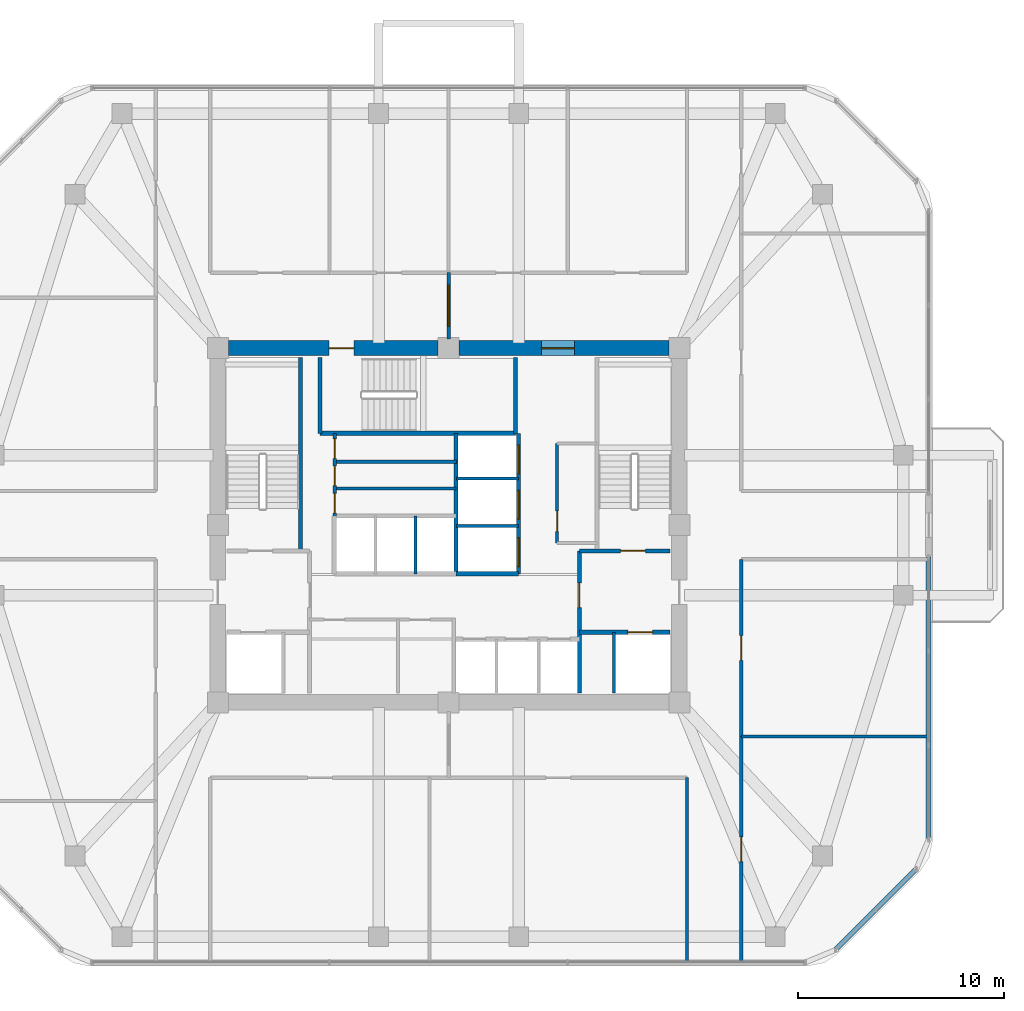
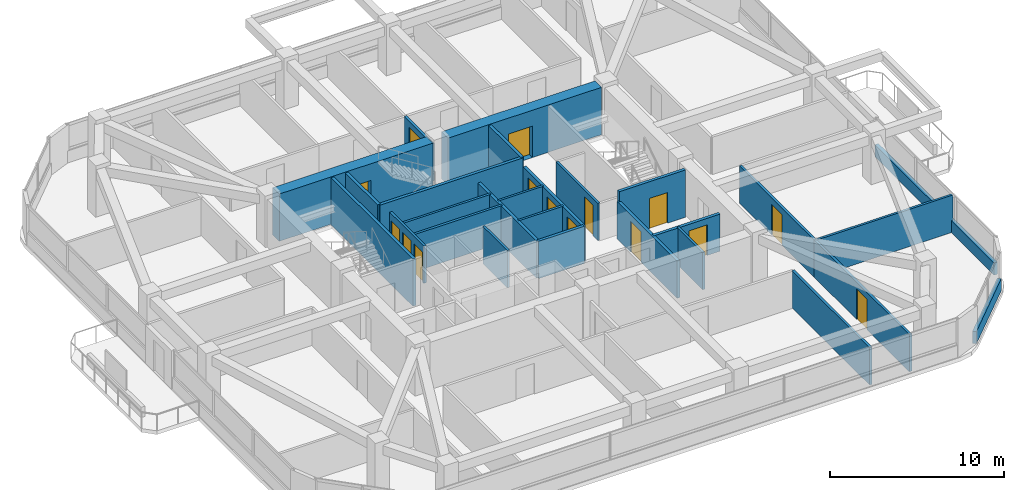
# One storey, part 9 of 12: 27 walls, 15 doors, 15 openings.
"""IFC4 building model written with IfcOpenShell, lengths in metres."""

from ifc_helpers import new_model, si_unit, derived_unit, direction, frame, frame_2d, origin, place, context, subcontext, project, spatial, rectangle, extrude, material, layer, layer_set, type_object, element, fill, save


model = new_model("IFC4")

# Units and contexts
model_context = context("Model", 3, precision=1e-05, world=origin(), true_north=direction((0.0, 1.0)))
body_context = subcontext(model_context, "Body", "Model", "MODEL_VIEW")
ifc_project = project(units=[si_unit("LENGTHUNIT", "METRE"), si_unit("AREAUNIT", "SQUARE_METRE"), si_unit("VOLUMEUNIT", "CUBIC_METRE"), si_unit("PLANEANGLEUNIT", "RADIAN"), si_unit("MASSUNIT", "GRAM", prefix="KILO"), derived_unit("THERMALTRANSMITTANCEUNIT", [(si_unit("POWERUNIT", "WATT"), 1), (si_unit("LENGTHUNIT", "METRE"), -2), (si_unit("THERMODYNAMICTEMPERATUREUNIT", "KELVIN"), -1)])], contexts=[model_context])

# Site, building, storey
site_placement = place(None, origin())
site = spatial("IfcSite", under=ifc_project, at=site_placement, CompositionType="ELEMENT")
building_placement = place(site_placement, origin())
building = spatial("IfcBuilding", under=site, at=building_placement, Name="Koralith Skygarden Medical Center", CompositionType="ELEMENT")
storey_placement = place(building_placement, frame((0.0, 0.0, 170.820068359375)))
storey = spatial("IfcBuildingStorey", under=building, at=storey_placement, Name="L44", CompositionType="ELEMENT", Elevation=170.820068359375)

# Wall, opening, door
ifc_material_1 = material(Name="Gypsum Board Partition")
ifc_layer_1 = layer(ifc_material_1, 0.14990234375)
ifc_layer_set_1 = layer_set([ifc_layer_1], Name="Gypsum Board Partition")
wall_type_1 = type_object("IfcWallType", Name="Clinical Acoustic Partition 150", PredefinedType="PARTITIONING", material=ifc_layer_set_1)
wall_1_placement = place(storey_placement, frame((42.27001953125, 25.0400390625, 0.0), z_axis=(0.0, 0.0, 1.0), x_axis=(0.0, 1.0, 0.0)))
wall_1 = element("IfcWall", 1, at=wall_1_placement, inside=storey, type_object=wall_type_1, Name="L44 Clinical Acoustic Partition 150 W-CORE-L44-ESUB-W", PredefinedType="PARTITIONING", context=body_context, shape_type="SweptSolid", body=[
    extrude(rectangle(XDim=4.820068359375, YDim=0.14990234375, at=frame_2d((2.41015625, 0.0))), origin(), (0.0, 0.0, 1.0), 2.60986328125),
])
opening_1_placement = place(wall_1_placement, frame((0.550048828125, 0.0, 0.0)))
opening_1 = element("IfcOpeningElement", 2, at=opening_1_placement, cuts=wall_1, Name="Opening D-SUP", PredefinedType="OPENING", context=body_context, shape_type="SweptSolid", body=[
    extrude(rectangle(XDim=1.0, YDim=2.14990234375, at=frame_2d((0.5, 1.074951171875))), frame((0.0, 0.0849609375, 0.0), z_axis=(0.0, -1.0, 0.0), x_axis=(1.0, 0.0, 0.0)), (0.0, 0.0, 1.0), 0.169921875),
])
ifc_material_2 = material(Name="Aluminium 6063-T6", Category="aluminium")
door_type_1 = type_object("IfcDoorType", Name="Clinical Support Door D-SUP 1000", OperationType="NOTDEFINED", PredefinedType="DOOR", material=ifc_material_2)
door_1_placement = place(opening_1_placement, origin())
door_1 = element("IfcDoor", 3, at=door_1_placement, inside=storey, type_object=door_type_1, Name="L44 Core Equipment Store Door", OperationType="SINGLE_SWING_LEFT", OverallHeight=2.14990234375, OverallWidth=1.0, PredefinedType="DOOR", context=body_context, shape_type="SweptSolid", body=[
    extrude(rectangle(XDim=1.0, YDim=2.14990234375, at=frame_2d((0.5, 1.074951171875))), frame((0.0, 0.02490234375, 0.0), z_axis=(0.0, -1.0, 0.0), x_axis=(1.0, 0.0, 0.0)), (0.0, 0.0, 1.0), 0.050048828125),
])
fill(opening_1, door_1)

# Walls
wall_2_placement = place(storey_placement, frame((31.47998046875, 28.97998046875, 0.0), z_axis=(0.0, 0.0, 1.0), x_axis=(1.0, 0.0, 0.0)))
element("IfcWall", 4, at=wall_2_placement, inside=storey, type_object=wall_type_1, Name="L44 Clinical Acoustic Partition 150 W-CORE-L44-FLEX-H1B", PredefinedType="PARTITIONING", context=body_context, shape_type="SweptSolid", body=[
    extrude(rectangle(XDim=5.89013671875, YDim=0.14990234375, at=frame_2d((2.945068359375, 0.0))), origin(), (0.0, 0.0, 1.0), 2.60986328125),
])
wall_3_placement = place(storey_placement, frame((51.2099609375, 15.64208984375, 0.0), z_axis=(0.0, 0.0, 1.0), x_axis=(1.0, 0.0, 0.0)))
element("IfcWall", 5, at=wall_3_placement, inside=storey, type_object=wall_type_1, Name="L44 Clinical Acoustic Partition 150 W-PART-L44-ES-01", PredefinedType="PARTITIONING", context=body_context, shape_type="SweptSolid", body=[
    extrude(rectangle(XDim=9.073974609375, YDim=0.14990234375, at=frame_2d((4.537109375, 0.0))), origin(), (0.0, 0.0, 1.0), 2.60986328125),
])
ifc_layer_2 = layer(ifc_material_1, 0.1650390625)
ifc_layer_set_2 = layer_set([ifc_layer_2], Name="Gypsum Board Partition")
wall_type_2 = type_object("IfcWallType", Name="Clinical Corridor Partition 165", PredefinedType="PARTITIONING", material=ifc_layer_set_2)
wall_4_placement = place(storey_placement, frame((48.570068359375, 4.699951171875, 0.0), z_axis=(0.0, 0.0, 1.0), x_axis=(0.0, 1.0, 0.0)))
element("IfcWall", 6, at=wall_4_placement, inside=storey, type_object=wall_type_2, Name="L44 Clinical Corridor Partition 165 W-HCOR-L44-SE", PredefinedType="PARTITIONING", context=body_context, shape_type="SweptSolid", body=[
    extrude(rectangle(XDim=8.93994140625, YDim=0.1650390625, at=frame_2d((4.469970703125, 0.0))), origin(), (0.0, 0.0, 1.0), 2.60986328125),
])

# Wall, opening, door
wall_5_placement = place(storey_placement, frame((51.2099609375, 4.699951171875, 0.0), z_axis=(0.0, 0.0, 1.0), x_axis=(0.0, 1.0, 0.0)))
wall_5 = element("IfcWall", 7, at=wall_5_placement, inside=storey, type_object=wall_type_2, Name="L44 Clinical Corridor Partition 165 W-CORR-L44-ES-01", PredefinedType="PARTITIONING", context=body_context, shape_type="SweptSolid", body=[
    extrude(rectangle(XDim=10.942138671875, YDim=0.1650390625, at=frame_2d((5.47119140625, 0.0))), origin(), (0.0, 0.0, 1.0), 2.60986328125),
])
opening_2_placement = place(wall_5_placement, frame((4.87109375, 0.0, 0.0)))
opening_2 = element("IfcOpeningElement", 8, at=opening_2_placement, cuts=wall_5, Name="Opening D-CLN", PredefinedType="OPENING", context=body_context, shape_type="SweptSolid", body=[
    extrude(rectangle(XDim=1.199951171875, YDim=2.14990234375, at=frame_2d((0.60009765625, 1.074951171875))), frame((0.0, 0.092529296875, 0.0), z_axis=(0.0, -1.0, 0.0), x_axis=(1.0, 0.0, 0.0)), (0.0, 0.0, 1.0), 0.18505859375),
])
door_type_2 = type_object("IfcDoorType", Name="Clinical Corridor Door D-CLN 1200", OperationType="NOTDEFINED", PredefinedType="DOOR", material=ifc_material_2)
door_2_placement = place(opening_2_placement, origin())
door_2 = element("IfcDoor", 9, at=door_2_placement, inside=storey, type_object=door_type_2, Name="L44 Physiatry Consult Office 11 Door", OperationType="SINGLE_SWING_RIGHT", OverallHeight=2.14990234375, OverallWidth=1.199951171875, PredefinedType="DOOR", context=body_context, shape_type="SweptSolid", body=[
    extrude(rectangle(XDim=1.199951171875, YDim=2.14990234375, at=frame_2d((0.60009765625, 1.074951171875))), frame((0.0, 0.02490234375, 0.0), z_axis=(0.0, -1.0, 0.0), x_axis=(1.0, 0.0, 0.0)), (0.0, 0.0, 1.0), 0.050048828125),
])
fill(opening_2, door_2)

wall_6_placement = place(storey_placement, frame((51.2099609375, 15.64208984375, 0.0), z_axis=(0.0, 0.0, 1.0), x_axis=(0.0, 1.0, 0.0)))
wall_6 = element("IfcWall", 10, at=wall_6_placement, inside=storey, type_object=wall_type_2, Name="L44 Clinical Corridor Partition 165 W-CORR-L44-ES-02", PredefinedType="PARTITIONING", context=body_context, shape_type="SweptSolid", body=[
    extrude(rectangle(XDim=8.597900390625, YDim=0.1650390625, at=frame_2d((4.298828125, 0.0))), origin(), (0.0, 0.0, 1.0), 2.60986328125),
])
opening_3_placement = place(wall_6_placement, frame((3.698974609375, 0.0, 0.0)))
opening_3 = element("IfcOpeningElement", 11, at=opening_3_placement, cuts=wall_6, Name="Opening D-CLN", PredefinedType="OPENING", context=body_context, shape_type="SweptSolid", body=[
    extrude(rectangle(XDim=1.199951171875, YDim=2.14990234375, at=frame_2d((0.60009765625, 1.074951171875))), frame((0.0, 0.092529296875, 0.0), z_axis=(0.0, -1.0, 0.0), x_axis=(1.0, 0.0, 0.0)), (0.0, 0.0, 1.0), 0.18505859375),
])
door_3_placement = place(opening_3_placement, origin())
door_3 = element("IfcDoor", 12, at=door_3_placement, inside=storey, type_object=door_type_2, Name="L44 Clinical Consultation Office 12 Door", OperationType="SINGLE_SWING_LEFT", OverallHeight=2.14990234375, OverallWidth=1.199951171875, PredefinedType="DOOR", context=body_context, shape_type="SweptSolid", body=[
    extrude(rectangle(XDim=1.199951171875, YDim=2.14990234375, at=frame_2d((0.60009765625, 1.074951171875))), frame((0.0, 0.02490234375, 0.0), z_axis=(0.0, -1.0, 0.0), x_axis=(1.0, 0.0, 0.0)), (0.0, 0.0, 1.0), 0.050048828125),
])
fill(opening_3, door_3)

ifc_layer_3 = layer(ifc_material_1, 0.199951171875)
ifc_layer_set_3 = layer_set([ifc_layer_3], Name="Gypsum Board Partition")
wall_type_3 = type_object("IfcWallType", Name="Fire Shaft Wall 200", PredefinedType="SOLIDWALL", material=ifc_layer_set_3)
wall_7_placement = place(storey_placement, frame((43.35009765625, 20.699951171875, 0.0), z_axis=(0.0, 0.0, 1.0), x_axis=(1.0, 0.0, 0.0)))
wall_7 = element("IfcWall", 13, at=wall_7_placement, inside=storey, type_object=wall_type_3, Name="L44 Fire Shaft Wall 200 W-CORE-L44-FF2-N", PredefinedType="SOLIDWALL", context=body_context, shape_type="SweptSolid", body=[
    extrude(rectangle(XDim=4.39990234375, YDim=0.199951171875, at=frame_2d((2.199951171875, 0.0))), origin(), (0.0, 0.0, 1.0), 2.60986328125),
])
opening_4_placement = place(wall_7_placement, frame((2.35009765625, 0.0, 0.0)))
opening_4 = element("IfcOpeningElement", 14, at=opening_4_placement, cuts=wall_7, Name="Opening LD-FF", PredefinedType="OPENING", context=body_context, shape_type="SweptSolid", body=[
    extrude(rectangle(XDim=1.199951171875, YDim=2.14990234375, at=frame_2d((0.60009765625, 1.074951171875))), frame((0.0, 0.10986328125, 0.0), z_axis=(0.0, -1.0, 0.0), x_axis=(1.0, 0.0, 0.0)), (0.0, 0.0, 1.0), 0.219970703125),
])
ifc_material_3 = material(Name="Steel ASTM A500 Grade C", Category="steel")
door_type_3 = type_object("IfcDoorType", Name="Fire Lift Sliding Landing Door LD-FF 1200", OperationType="NOTDEFINED", PredefinedType="DOOR", material=ifc_material_3)
door_4_placement = place(opening_4_placement, origin())
door_4 = element("IfcDoor", 15, at=door_4_placement, inside=storey, type_object=door_type_3, Name="L44 Fire Service Elevator FF2 Landing Door", OperationType="SLIDING_TO_RIGHT", OverallHeight=2.14990234375, OverallWidth=1.199951171875, PredefinedType="DOOR", context=body_context, shape_type="SweptSolid", body=[
    extrude(rectangle(XDim=1.199951171875, YDim=2.14990234375, at=frame_2d((0.60009765625, 1.074951171875))), frame((0.0, 0.02490234375, 0.0), z_axis=(0.0, -1.0, 0.0), x_axis=(1.0, 0.0, 0.0)), (0.0, 0.0, 1.0), 0.050048828125),
])
fill(opening_4, door_4)

wall_8_placement = place(storey_placement, frame((43.35009765625, 17.75, 0.0), z_axis=(0.0, 0.0, 1.0), x_axis=(0.0, 1.0, 0.0)))
wall_8 = element("IfcWall", 16, at=wall_8_placement, inside=storey, type_object=wall_type_3, Name="L44 Fire Shaft Wall 200 W-CORE-L44-FSAEE-W", PredefinedType="SOLIDWALL", context=body_context, shape_type="SweptSolid", body=[
    extrude(rectangle(XDim=6.89990234375, YDim=0.199951171875, at=frame_2d((3.449951171875, 0.0))), origin(), (0.0, 0.0, 1.0), 2.60986328125),
])
opening_5_placement = place(wall_8_placement, frame((4.14990234375, 0.0, 0.0)))
opening_5 = element("IfcOpeningElement", 17, at=opening_5_placement, cuts=wall_8, Name="Opening D-ST60", PredefinedType="OPENING", context=body_context, shape_type="SweptSolid", body=[
    extrude(rectangle(XDim=1.199951171875, YDim=2.14990234375, at=frame_2d((0.60009765625, 1.074951171875))), frame((0.0, 0.10986328125, 0.0), z_axis=(0.0, -1.0, 0.0), x_axis=(1.0, 0.0, 0.0)), (0.0, 0.0, 1.0), 0.219970703125),
])
door_type_4 = type_object("IfcDoorType", Name="Smokeproof Stair Fire Door FD60S 1200", OperationType="NOTDEFINED", PredefinedType="DOOR", material=ifc_material_3)
door_5_placement = place(opening_5_placement, frame((1.199951171875, 0.0, 0.0), z_axis=(0.0, 0.0, 1.0), x_axis=(-1.0, 0.0, 0.0)))
door_5 = element("IfcDoor", 18, at=door_5_placement, inside=storey, type_object=door_type_4, Name="L44 East Firefighting Lobby Inner Fire Door", OperationType="SINGLE_SWING_RIGHT", OverallHeight=2.14990234375, OverallWidth=1.199951171875, PredefinedType="DOOR", context=body_context, shape_type="SweptSolid", body=[
    extrude(rectangle(XDim=1.199951171875, YDim=2.14990234375, at=frame_2d((0.60009765625, 1.074951171875))), frame((0.0, 0.02490234375, 0.0), z_axis=(0.0, -1.0, 0.0), x_axis=(1.0, 0.0, 0.0)), (0.0, 0.0, 1.0), 0.050048828125),
])
fill(opening_5, door_5)

# Walls
wall_9_placement = place(storey_placement, frame((37.35009765625, 23.5400390625, 0.0), z_axis=(0.0, 0.0, 1.0), x_axis=(0.0, 1.0, 0.0)))
element("IfcWall", 19, at=wall_9_placement, inside=storey, type_object=wall_type_3, Name="L44 Fire Shaft Wall 200 W-CORE-L44-SV-W", PredefinedType="SOLIDWALL", context=body_context, shape_type="SweptSolid", body=[
    extrude(rectangle(XDim=6.820068359375, YDim=0.199951171875, at=frame_2d((3.41015625, 0.0))), origin(), (0.0, 0.0, 1.0), 2.60986328125),
])
wall_10_placement = place(storey_placement, frame((37.35009765625, 23.5400390625, 0.0), z_axis=(0.0, 0.0, 1.0), x_axis=(1.0, 0.0, 0.0)))
element("IfcWall", 20, at=wall_10_placement, inside=storey, type_object=wall_type_3, Name="L44 Fire Shaft Wall 200 W-CORE-L44-SV-S", PredefinedType="SOLIDWALL", context=body_context, shape_type="SweptSolid", body=[
    extrude(rectangle(XDim=3.0498046875, YDim=0.199951171875, at=frame_2d((1.52490234375, 0.0))), origin(), (0.0, 0.0, 1.0), 2.60986328125),
])

# Wall, openings, doors
wall_11_placement = place(storey_placement, frame((40.39990234375, 23.5400390625, 0.0), z_axis=(0.0, 0.0, 1.0), x_axis=(0.0, 1.0, 0.0)))
wall_11 = element("IfcWall", 21, at=wall_11_placement, inside=storey, type_object=wall_type_3, Name="L44 Fire Shaft Wall 200 W-CORE-L44-SV-E", PredefinedType="SOLIDWALL", context=body_context, shape_type="SweptSolid", body=[
    extrude(rectangle(XDim=6.820068359375, YDim=0.199951171875, at=frame_2d((3.41015625, 0.0))), origin(), (0.0, 0.0, 1.0), 2.60986328125),
])
opening_6_placement = place(wall_11_placement, frame((0.35009765625, 0.0, 0.0)))
opening_6 = element("IfcOpeningElement", 22, at=opening_6_placement, cuts=wall_11, Name="Opening LD-SV", PredefinedType="OPENING", context=body_context, shape_type="SweptSolid", body=[
    extrude(rectangle(XDim=1.39990234375, YDim=2.199951171875, at=frame_2d((0.699951171875, 1.10009765625))), frame((0.0, 0.10986328125, 0.0), z_axis=(0.0, -1.0, 0.0), x_axis=(1.0, 0.0, 0.0)), (0.0, 0.0, 1.0), 0.219970703125),
])
opening_7_placement = place(wall_11_placement, frame((2.64990234375, 0.0, 0.0)))
opening_7 = element("IfcOpeningElement", 23, at=opening_7_placement, cuts=wall_11, Name="Opening LD-SV", PredefinedType="OPENING", context=body_context, shape_type="SweptSolid", body=[
    extrude(rectangle(XDim=1.39990234375, YDim=2.199951171875, at=frame_2d((0.699951171875, 1.10009765625))), frame((0.0, 0.10986328125, 0.0), z_axis=(0.0, -1.0, 0.0), x_axis=(1.0, 0.0, 0.0)), (0.0, 0.0, 1.0), 0.219970703125),
])
opening_8_placement = place(wall_11_placement, frame((4.85009765625, 0.0, 0.0)))
opening_8 = element("IfcOpeningElement", 24, at=opening_8_placement, cuts=wall_11, Name="Opening LD-SV", PredefinedType="OPENING", context=body_context, shape_type="SweptSolid", body=[
    extrude(rectangle(XDim=1.39990234375, YDim=2.199951171875, at=frame_2d((0.699951171875, 1.10009765625))), frame((0.0, 0.10986328125, 0.0), z_axis=(0.0, -1.0, 0.0), x_axis=(1.0, 0.0, 0.0)), (0.0, 0.0, 1.0), 0.219970703125),
])
door_type_5 = type_object("IfcDoorType", Name="Bed Lift Sliding Landing Door LD-SV 1400", OperationType="NOTDEFINED", PredefinedType="DOOR", material=ifc_material_3)
door_6_placement = place(opening_6_placement, origin())
door_6 = element("IfcDoor", 25, at=door_6_placement, inside=storey, type_object=door_type_5, Name="L44 Bed Elevator BD1 Landing Door", OperationType="SLIDING_TO_LEFT", OverallHeight=2.199951171875, OverallWidth=1.39990234375, PredefinedType="DOOR", context=body_context, shape_type="SweptSolid", body=[
    extrude(rectangle(XDim=1.39990234375, YDim=2.199951171875, at=frame_2d((0.699951171875, 1.10009765625))), frame((0.0, 0.02490234375, 0.0), z_axis=(0.0, -1.0, 0.0), x_axis=(1.0, 0.0, 0.0)), (0.0, 0.0, 1.0), 0.050048828125),
])
fill(opening_6, door_6)
door_7_placement = place(opening_7_placement, origin())
door_7 = element("IfcDoor", 26, at=door_7_placement, inside=storey, type_object=door_type_5, Name="L44 Service Elevator BD2 Landing Door", OperationType="SLIDING_TO_LEFT", OverallHeight=2.199951171875, OverallWidth=1.39990234375, PredefinedType="DOOR", context=body_context, shape_type="SweptSolid", body=[
    extrude(rectangle(XDim=1.39990234375, YDim=2.199951171875, at=frame_2d((0.699951171875, 1.10009765625))), frame((0.0, 0.02490234375, 0.0), z_axis=(0.0, -1.0, 0.0), x_axis=(1.0, 0.0, 0.0)), (0.0, 0.0, 1.0), 0.050048828125),
])
fill(opening_7, door_7)
door_8_placement = place(opening_8_placement, origin())
door_8 = element("IfcDoor", 27, at=door_8_placement, inside=storey, type_object=door_type_5, Name="L44 Trauma Elevator TR1 Landing Door", OperationType="SLIDING_TO_RIGHT", OverallHeight=2.199951171875, OverallWidth=1.39990234375, PredefinedType="DOOR", context=body_context, shape_type="SweptSolid", body=[
    extrude(rectangle(XDim=1.39990234375, YDim=2.199951171875, at=frame_2d((0.699951171875, 1.10009765625))), frame((0.0, 0.02490234375, 0.0), z_axis=(0.0, -1.0, 0.0), x_axis=(1.0, 0.0, 0.0)), (0.0, 0.0, 1.0), 0.050048828125),
])
fill(opening_8, door_8)

# Wall, opening, door
ifc_layer_4 = layer(ifc_material_1, 0.179931640625)
ifc_layer_set_4 = layer_set([ifc_layer_4], Name="Gypsum Board Partition")
wall_type_4 = type_object("IfcWallType", Name="Group I-2 Smoke Barrier Wall 180", PredefinedType="PARTITIONING", material=ifc_layer_set_4)
wall_12_placement = place(storey_placement, frame((37.0, 34.949951171875, 0.0), z_axis=(0.0, 0.0, 1.0), x_axis=(0.0, 1.0, 0.0)))
wall_12 = element("IfcWall", 28, at=wall_12_placement, inside=storey, type_object=wall_type_4, Name="L44 Group I-2 Smoke Barrier Wall 180 W-SMK-L44-N", PredefinedType="PARTITIONING", context=body_context, shape_type="SweptSolid", body=[
    extrude(rectangle(XDim=3.2099609375, YDim=0.179931640625, at=frame_2d((1.60498046875, 0.0))), origin(), (0.0, 0.0, 1.0), 2.60986328125),
])
opening_9_placement = place(wall_12_placement, frame((0.60498046875, 0.0, 0.0)))
opening_9 = element("IfcOpeningElement", 29, at=opening_9_placement, cuts=wall_12, Name="Opening D-SMK", PredefinedType="OPENING", context=body_context, shape_type="SweptSolid", body=[
    extrude(rectangle(XDim=2.0, YDim=2.199951171875, at=frame_2d((1.0, 1.10009765625))), frame((0.0, 0.099853515625, 0.0), z_axis=(0.0, -1.0, 0.0), x_axis=(1.0, 0.0, 0.0)), (0.0, 0.0, 1.0), 0.199951171875),
])
door_type_6 = type_object("IfcDoorType", Name="Cross-Corridor Double Smoke Door FD60S 2000", OperationType="NOTDEFINED", PredefinedType="DOOR", material=ifc_material_3)
door_9_placement = place(opening_9_placement, origin())
door_9 = element("IfcDoor", 30, at=door_9_placement, inside=storey, type_object=door_type_6, Name="L44 N Smoke Compartment Cross-Corridor Door", OperationType="DOUBLE_DOOR_SINGLE_SWING", OverallHeight=2.199951171875, OverallWidth=2.0, PredefinedType="DOOR", context=body_context, shape_type="SweptSolid", body=[
    extrude(rectangle(XDim=2.0, YDim=2.199951171875, at=frame_2d((1.0, 1.10009765625))), frame((0.0, 0.02490234375, 0.0), z_axis=(0.0, -1.0, 0.0), x_axis=(1.0, 0.0, 0.0)), (0.0, 0.0, 1.0), 0.050048828125),
])
fill(opening_9, door_9)

# Walls
ifc_material_4 = material(Name="Warm Oolitic Limestone Cladding", Category="masonry")
ifc_layer_5 = layer(ifc_material_4, 0.239990234375)
ifc_layer_set_5 = layer_set([ifc_layer_5], Name="Warm Oolitic Limestone Cladding")
wall_type_5 = type_object("IfcWallType", Name="Limestone Spandrel Sill Backup Wall 240", PredefinedType="SOLIDWALL", material=ifc_layer_set_5)
wall_13_placement = place(storey_placement, frame((55.780029296875, 5.281005859375, 0.0), z_axis=(0.0, 0.0, 1.0), x_axis=(0.707084777957, 0.707128783731, 0.0)))
element("IfcWall", 31, at=wall_13_placement, inside=storey, type_object=wall_type_5, Name="L44 Sill Spandrel SE", PredefinedType="SOLIDWALL", context=body_context, shape_type="SweptSolid", body=[
    extrude(rectangle(XDim=5.5478515625, YDim=0.239990234375, at=frame_2d((2.77392578125, 0.0))), origin(), (0.0, 0.0, 1.0), 0.849853515625),
])
wall_14_placement = place(storey_placement, frame((60.303955078125, 10.655029296875, 0.0), z_axis=(0.0, 0.0, 1.0), x_axis=(0.0, 1.0, 0.0)))
element("IfcWall", 32, at=wall_14_placement, inside=storey, type_object=wall_type_5, Name="L44 Sill Spandrel E-L", PredefinedType="SOLIDWALL", context=body_context, shape_type="SweptSolid", body=[
    extrude(rectangle(XDim=13.705078125, YDim=0.239990234375, at=frame_2d((6.8525390625, 0.0))), origin(), (0.0, 0.0, 1.0), 0.849853515625),
])

# Wall, opening, door
ifc_material_5 = material(Name="Concrete C70/85", Category="concrete")
ifc_layer_6 = layer(ifc_material_5, 0.75)
ifc_layer_set_6 = layer_set([ifc_layer_6], Name="Concrete C70/85")
wall_type_6 = type_object("IfcWallType", Name="Mid Core Shear Wall 750", PredefinedType="SHEAR", material=ifc_layer_set_6)
wall_15_placement = place(storey_placement, frame((47.695068359375, 34.5, 0.0), z_axis=(0.0, 0.0, 1.0), x_axis=(-1.0, 0.0, 0.0)))
wall_15 = element("IfcWall", 33, at=wall_15_placement, inside=storey, type_object=wall_type_6, Name="L44 Core Shear Wall Segment 5", PredefinedType="SHEAR", context=body_context, shape_type="SweptSolid", body=[
    extrude(rectangle(XDim=10.190185546875, YDim=0.75, at=frame_2d((5.09521484375, 0.0))), origin(), (0.0, 0.0, 1.0), 3.31982421875),
])
opening_10_placement = place(wall_15_placement, frame((4.594970703125, 0.0, 0.0)))
opening_10 = element("IfcOpeningElement", 34, at=opening_10_placement, cuts=wall_15, Name="Opening D-DBL", PredefinedType="OPENING", context=body_context, shape_type="SweptSolid", body=[
    extrude(rectangle(XDim=1.60009765625, YDim=2.199951171875, at=frame_2d((0.800048828125, 1.10009765625))), frame((0.0, 0.385009765625, 0.0), z_axis=(0.0, -1.0, 0.0), x_axis=(1.0, 0.0, 0.0)), (0.0, 0.0, 1.0), 0.77001953125),
])
door_type_7 = type_object("IfcDoorType", Name="Double Clinical Suite Door D-DBL 1600", OperationType="NOTDEFINED", PredefinedType="DOOR", material=ifc_material_2)
door_10_placement = place(opening_10_placement, frame((1.60009765625, 0.0, 0.0), z_axis=(0.0, 0.0, 1.0), x_axis=(-1.0, 0.0, 0.0)))
door_10 = element("IfcDoor", 35, at=door_10_placement, inside=storey, type_object=door_type_7, Name="L44 North-East Corridor to Elevator Lobby Door", OperationType="DOUBLE_DOOR_SINGLE_SWING", OverallHeight=2.199951171875, OverallWidth=1.60009765625, PredefinedType="DOOR", context=body_context, shape_type="SweptSolid", body=[
    extrude(rectangle(XDim=1.60009765625, YDim=2.199951171875, at=frame_2d((0.800048828125, 1.10009765625))), frame((0.0, 0.02490234375, 0.0), z_axis=(0.0, -1.0, 0.0), x_axis=(1.0, 0.0, 0.0)), (0.0, 0.0, 1.0), 0.050048828125),
])
fill(opening_10, door_10)

wall_16_placement = place(storey_placement, frame((36.4951171875, 34.5, 0.0), z_axis=(0.0, 0.0, 1.0), x_axis=(-1.0, 0.0, 0.0)))
wall_16 = element("IfcWall", 36, at=wall_16_placement, inside=storey, type_object=wall_type_6, Name="L44 Core Shear Wall Segment 6", PredefinedType="SHEAR", context=body_context, shape_type="SweptSolid", body=[
    extrude(rectangle(XDim=10.190185546875, YDim=0.75, at=frame_2d((5.09521484375, 0.0))), origin(), (0.0, 0.0, 1.0), 3.31982421875),
])
opening_11_placement = place(wall_16_placement, frame((4.094970703125, 0.0, 0.0)))
opening_11 = element("IfcOpeningElement", 37, at=opening_11_placement, cuts=wall_16, Name="Opening D-ST60", PredefinedType="OPENING", context=body_context, shape_type="SweptSolid", body=[
    extrude(rectangle(XDim=1.199951171875, YDim=2.14990234375, at=frame_2d((0.60009765625, 1.074951171875))), frame((0.0, 0.385009765625, 0.0), z_axis=(0.0, -1.0, 0.0), x_axis=(1.0, 0.0, 0.0)), (0.0, 0.0, 1.0), 0.77001953125),
])
door_11_placement = place(opening_11_placement, frame((1.199951171875, 0.0, 0.0), z_axis=(0.0, 0.0, 1.0), x_axis=(-1.0, 0.0, 0.0)))
door_11 = element("IfcDoor", 38, at=door_11_placement, inside=storey, type_object=door_type_4, Name="L44 Exit Stair ST3 Fire Door", OperationType="SINGLE_SWING_LEFT", OverallHeight=2.14990234375, OverallWidth=1.199951171875, PredefinedType="DOOR", context=body_context, shape_type="SweptSolid", body=[
    extrude(rectangle(XDim=1.199951171875, YDim=2.14990234375, at=frame_2d((0.60009765625, 1.074951171875))), frame((0.0, 0.02490234375, 0.0), z_axis=(0.0, -1.0, 0.0), x_axis=(1.0, 0.0, 0.0)), (0.0, 0.0, 1.0), 0.050048828125),
])
fill(opening_11, door_11)

# Wall, openings, doors
ifc_layer_7 = layer(ifc_material_1, 0.1650390625)
ifc_layer_set_7 = layer_set([ifc_layer_7], Name="Gypsum Board Partition")
wall_type_7 = type_object("IfcWallType", Name="Plumbing Wet Wall 165", PredefinedType="PLUMBINGWALL", material=ifc_layer_set_7)
wall_17_placement = place(storey_placement, frame((31.47998046875, 26.320068359375, 0.0), z_axis=(0.0, 0.0, 1.0), x_axis=(0.0, 1.0, 0.0)))
wall_17 = element("IfcWall", 39, at=wall_17_placement, inside=storey, type_object=wall_type_7, Name="L44 Plumbing Wet Wall 165 W-CORE-L44-FLEX-W", PredefinedType="PLUMBINGWALL", context=body_context, shape_type="SweptSolid", body=[
    extrude(rectangle(XDim=4.0400390625, YDim=0.1650390625, at=frame_2d((2.02001953125, 0.0))), origin(), (0.0, 0.0, 1.0), 2.60986328125),
])
opening_12_placement = place(wall_17_placement, frame((0.179931640625, 0.0, 0.0)))
opening_12 = element("IfcOpeningElement", 40, at=opening_12_placement, cuts=wall_17, Name="Opening D-WC", PredefinedType="OPENING", context=body_context, shape_type="SweptSolid", body=[
    extrude(rectangle(XDim=0.949951171875, YDim=2.10009765625, at=frame_2d((0.47509765625, 1.050048828125))), frame((0.0, 0.092529296875, 0.0), z_axis=(0.0, -1.0, 0.0), x_axis=(1.0, 0.0, 0.0)), (0.0, 0.0, 1.0), 0.18505859375),
])
opening_13_placement = place(wall_17_placement, frame((1.5, 0.0, 0.0)))
opening_13 = element("IfcOpeningElement", 41, at=opening_13_placement, cuts=wall_17, Name="Opening D-WC", PredefinedType="OPENING", context=body_context, shape_type="SweptSolid", body=[
    extrude(rectangle(XDim=0.949951171875, YDim=2.10009765625, at=frame_2d((0.47509765625, 1.050048828125))), frame((0.0, 0.092529296875, 0.0), z_axis=(0.0, -1.0, 0.0), x_axis=(1.0, 0.0, 0.0)), (0.0, 0.0, 1.0), 0.18505859375),
])
opening_14_placement = place(wall_17_placement, frame((2.820068359375, 0.0, 0.0)))
opening_14 = element("IfcOpeningElement", 42, at=opening_14_placement, cuts=wall_17, Name="Opening D-WC", PredefinedType="OPENING", context=body_context, shape_type="SweptSolid", body=[
    extrude(rectangle(XDim=0.949951171875, YDim=2.10009765625, at=frame_2d((0.47509765625, 1.050048828125))), frame((0.0, 0.092529296875, 0.0), z_axis=(0.0, -1.0, 0.0), x_axis=(1.0, 0.0, 0.0)), (0.0, 0.0, 1.0), 0.18505859375),
])
door_type_8 = type_object("IfcDoorType", Name="Accessible Toilet Door D-WC 950", OperationType="NOTDEFINED", PredefinedType="DOOR", material=ifc_material_2)
door_12_placement = place(opening_12_placement, frame((0.949951171875, 0.0, 0.0), z_axis=(0.0, 0.0, 1.0), x_axis=(-1.0, 0.0, 0.0)))
door_12 = element("IfcDoor", 43, at=door_12_placement, inside=storey, type_object=door_type_8, Name="L44 Core Accessible WC Door", OperationType="SINGLE_SWING_LEFT", OverallHeight=2.10009765625, OverallWidth=0.949951171875, PredefinedType="DOOR", context=body_context, shape_type="SweptSolid", body=[
    extrude(rectangle(XDim=0.949951171875, YDim=2.10009765625, at=frame_2d((0.47509765625, 1.050048828125))), frame((0.0, 0.02490234375, 0.0), z_axis=(0.0, -1.0, 0.0), x_axis=(1.0, 0.0, 0.0)), (0.0, 0.0, 1.0), 0.050048828125),
])
fill(opening_12, door_12)
door_13_placement = place(opening_13_placement, frame((0.949951171875, 0.0, 0.0), z_axis=(0.0, 0.0, 1.0), x_axis=(-1.0, 0.0, 0.0)))
door_13 = element("IfcDoor", 44, at=door_13_placement, inside=storey, type_object=door_type_8, Name="L44 Staff Pantry Door", OperationType="SINGLE_SWING_LEFT", OverallHeight=2.10009765625, OverallWidth=0.949951171875, PredefinedType="DOOR", context=body_context, shape_type="SweptSolid", body=[
    extrude(rectangle(XDim=0.949951171875, YDim=2.10009765625, at=frame_2d((0.47509765625, 1.050048828125))), frame((0.0, 0.02490234375, 0.0), z_axis=(0.0, -1.0, 0.0), x_axis=(1.0, 0.0, 0.0)), (0.0, 0.0, 1.0), 0.050048828125),
])
fill(opening_13, door_13)
door_14_placement = place(opening_14_placement, frame((0.949951171875, 0.0, 0.0), z_axis=(0.0, 0.0, 1.0), x_axis=(-1.0, 0.0, 0.0)))
door_14 = element("IfcDoor", 45, at=door_14_placement, inside=storey, type_object=door_type_8, Name="L44 IT Comms Door", OperationType="SINGLE_SWING_RIGHT", OverallHeight=2.10009765625, OverallWidth=0.949951171875, PredefinedType="DOOR", context=body_context, shape_type="SweptSolid", body=[
    extrude(rectangle(XDim=0.949951171875, YDim=2.10009765625, at=frame_2d((0.47509765625, 1.050048828125))), frame((0.0, 0.02490234375, 0.0), z_axis=(0.0, -1.0, 0.0), x_axis=(1.0, 0.0, 0.0)), (0.0, 0.0, 1.0), 0.050048828125),
])
fill(opening_14, door_14)

# Walls
wall_18_placement = place(storey_placement, frame((31.47998046875, 27.679931640625, 0.0), z_axis=(0.0, 0.0, 1.0), x_axis=(1.0, 0.0, 0.0)))
element("IfcWall", 46, at=wall_18_placement, inside=storey, type_object=wall_type_7, Name="L44 Plumbing Wet Wall 165 W-CORE-L44-FLEX-H1A", PredefinedType="PLUMBINGWALL", context=body_context, shape_type="SweptSolid", body=[
    extrude(rectangle(XDim=5.8701171875, YDim=0.1650390625, at=frame_2d((2.93505859375, 0.0))), origin(), (0.0, 0.0, 1.0), 2.60986328125),
])
ifc_layer_8 = layer(ifc_material_1, 0.14990234375)
ifc_layer_set_8 = layer_set([ifc_layer_8], Name="Gypsum Board Partition")
wall_type_8 = type_object("IfcWallType", Name="Shaft Partition Wall 150", PredefinedType="PARTITIONING", material=ifc_layer_set_8)
wall_19_placement = place(storey_placement, frame((45.02001953125, 17.75, 0.0), z_axis=(0.0, 0.0, 1.0), x_axis=(0.0, 1.0, 0.0)))
element("IfcWall", 47, at=wall_19_placement, inside=storey, type_object=wall_type_8, Name="L44 Shaft Partition Wall 150 W-CORE-L44-RSRE-DIV", PredefinedType="PARTITIONING", context=body_context, shape_type="SweptSolid", body=[
    extrude(rectangle(XDim=2.949951171875, YDim=0.14990234375, at=frame_2d((1.47509765625, 0.0))), origin(), (0.0, 0.0, 1.0), 2.60986328125),
])
wall_20_placement = place(storey_placement, frame((35.39990234375, 23.5400390625, 0.0), z_axis=(0.0, 0.0, 1.0), x_axis=(0.0, 1.0, 0.0)))
element("IfcWall", 48, at=wall_20_placement, inside=storey, type_object=wall_type_8, Name="L44 Shaft Partition Wall 150 W-CORE-L44-PH-D2", PredefinedType="PARTITIONING", context=body_context, shape_type="SweptSolid", body=[
    extrude(rectangle(XDim=2.81005859375, YDim=0.14990234375, at=frame_2d((1.405029296875, 0.0))), origin(), (0.0, 0.0, 1.0), 2.60986328125),
])
for number, where, z_axis, x_axis, name in (
    (49, (37.3701171875, 25.8701171875, 0.0), (0.0, 0.0, 1.0), (1.0, 0.0, 0.0), "L44 Shaft Partition Wall 150 W-CORE-L44-SV-D1"),
    (50, (37.3701171875, 28.169921875, 0.0), (0.0, 0.0, 1.0), (1.0, 0.0, 0.0), "L44 Shaft Partition Wall 150 W-CORE-L44-SV-D2"),
):
    element("IfcWall", number, at=place(storey_placement, frame(where, z_axis=z_axis, x_axis=x_axis)), inside=storey, type_object=wall_type_8, Name=name, PredefinedType="PARTITIONING", context=body_context, shape_type="SweptSolid", body=[
        extrude(rectangle(XDim=3.009765625, YDim=0.14990234375, at=frame_2d((1.5048828125, 0.0))), origin(), (0.0, 0.0, 1.0), 2.60986328125),
    ])
ifc_material_6 = material(Name="Concrete C45/55", Category="concrete")
ifc_layer_9 = layer(ifc_material_6, 0.199951171875)
ifc_layer_set_9 = layer_set([ifc_layer_9], Name="Concrete C45/55")
wall_type_9 = type_object("IfcWallType", Name="Structural Stair Shaft Wall 200", PredefinedType="SHEAR", material=ifc_layer_set_9)
wall_21_placement = place(storey_placement, frame((29.800048828125, 24.64990234375, 0.0), z_axis=(0.0, 0.0, 1.0), x_axis=(0.0, 1.0, 0.0)))
element("IfcWall", 51, at=wall_21_placement, inside=storey, type_object=wall_type_9, Name="L44 Structural Stair Shaft Wall 200 W-CORE-L44-ST1-E", PredefinedType="SHEAR", context=body_context, shape_type="SweptSolid", body=[
    extrude(rectangle(XDim=9.400146484375, YDim=0.199951171875, at=frame_2d((4.7001953125, 0.0))), origin(), (0.0, 0.0, 1.0), 3.31982421875),
])

# Wall, opening, door
wall_22_placement = place(storey_placement, frame((43.35009765625, 24.64990234375, 0.0), z_axis=(0.0, 0.0, 1.0), x_axis=(1.0, 0.0, 0.0)))
wall_22 = element("IfcWall", 52, at=wall_22_placement, inside=storey, type_object=wall_type_9, Name="L44 Structural Stair Shaft Wall 200 W-CORE-L44-ST2-S", PredefinedType="SHEAR", context=body_context, shape_type="SweptSolid", body=[
    extrude(rectangle(XDim=4.39990234375, YDim=0.199951171875, at=frame_2d((2.199951171875, 0.0))), origin(), (0.0, 0.0, 1.0), 3.31982421875),
])
opening_15_placement = place(wall_22_placement, frame((2.0, 0.0, 0.0)))
opening_15 = element("IfcOpeningElement", 53, at=opening_15_placement, cuts=wall_22, Name="Opening D-ST60", PredefinedType="OPENING", context=body_context, shape_type="SweptSolid", body=[
    extrude(rectangle(XDim=1.199951171875, YDim=2.14990234375, at=frame_2d((0.60009765625, 1.074951171875))), frame((0.0, 0.10986328125, 0.0), z_axis=(0.0, -1.0, 0.0), x_axis=(1.0, 0.0, 0.0)), (0.0, 0.0, 1.0), 0.219970703125),
])
door_15_placement = place(opening_15_placement, origin())
door_15 = element("IfcDoor", 54, at=door_15_placement, inside=storey, type_object=door_type_4, Name="L44 Exit Stair ST2 Fire Door", OperationType="SINGLE_SWING_RIGHT", OverallHeight=2.14990234375, OverallWidth=1.199951171875, PredefinedType="DOOR", context=body_context, shape_type="SweptSolid", body=[
    extrude(rectangle(XDim=1.199951171875, YDim=2.14990234375, at=frame_2d((0.60009765625, 1.074951171875))), frame((0.0, 0.02490234375, 0.0), z_axis=(0.0, -1.0, 0.0), x_axis=(1.0, 0.0, 0.0)), (0.0, 0.0, 1.0), 0.050048828125),
])
fill(opening_15, door_15)

# Walls
wall_23_placement = place(storey_placement, frame((30.75, 30.360107421875, 0.0), z_axis=(0.0, 0.0, 1.0), x_axis=(1.0, 0.0, 0.0)))
element("IfcWall", 55, at=wall_23_placement, inside=storey, type_object=wall_type_9, Name="L44 Structural Stair Shaft Wall 200 W-CORE-L44-ST3-S", PredefinedType="SHEAR", context=body_context, shape_type="SweptSolid", body=[
    extrude(rectangle(XDim=9.5, YDim=0.199951171875, at=frame_2d((4.75, 0.0))), origin(), (0.0, 0.0, 1.0), 3.31982421875),
])
for number, where, z_axis, x_axis, name in (
    (56, (30.75, 30.360107421875, 0.0), (0.0, 0.0, 1.0), (0.0, 1.0, 0.0), "L44 Structural Stair Shaft Wall 200 W-CORE-L44-ST3-W"),
    (57, (40.25, 30.360107421875, 0.0), (0.0, 0.0, 1.0), (0.0, 1.0, 0.0), "L44 Structural Stair Shaft Wall 200 W-CORE-L44-ST3-E"),
):
    element("IfcWall", number, at=place(storey_placement, frame(where, z_axis=z_axis, x_axis=x_axis)), inside=storey, type_object=wall_type_9, Name=name, PredefinedType="SHEAR", context=body_context, shape_type="SweptSolid", body=[
        extrude(rectangle(XDim=3.68994140625, YDim=0.199951171875, at=frame_2d((1.844970703125, 0.0))), origin(), (0.0, 0.0, 1.0), 3.31982421875),
    ])

save(model, "model.ifc")
